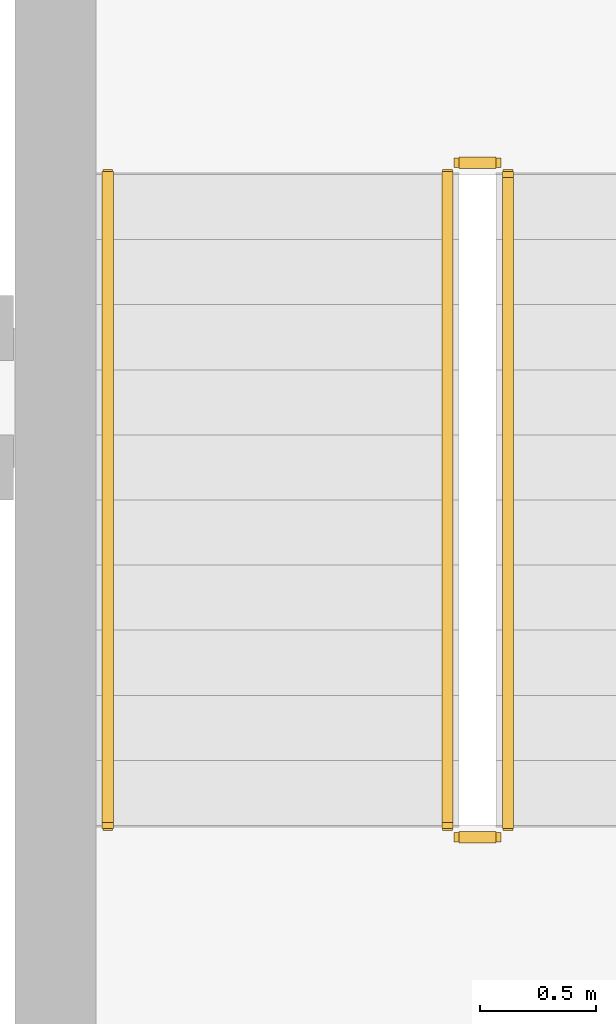
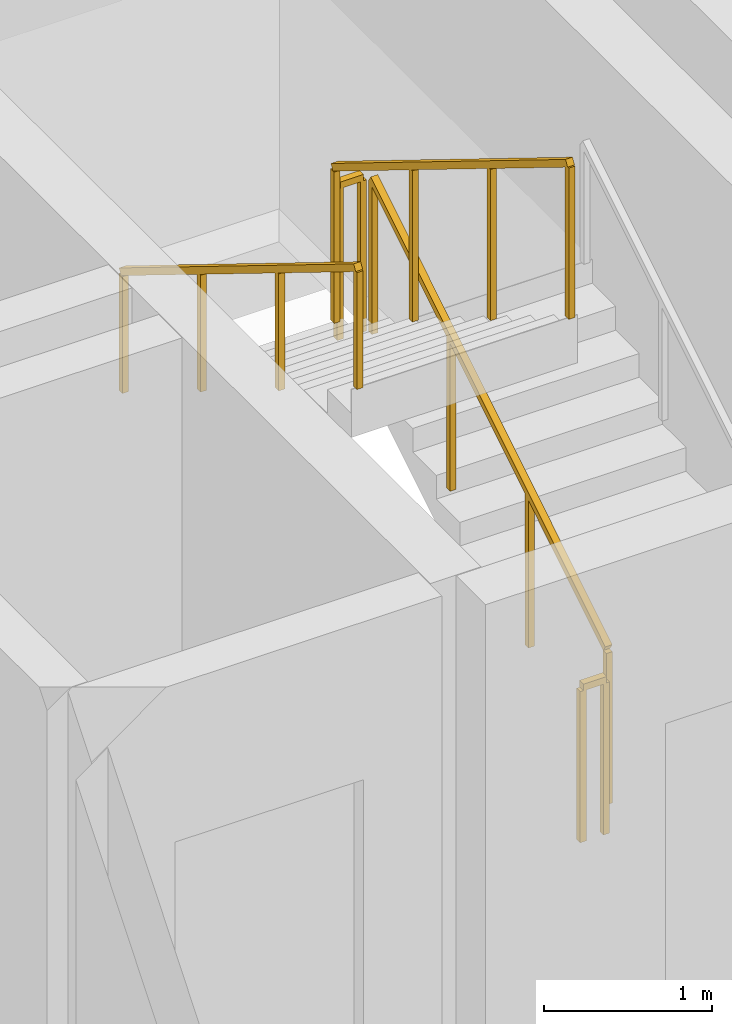
# One storey, part 14 of 15: 5 railings.
"""IFC4 building model written with IfcOpenShell, lengths in metres."""

from ifc_helpers import new_model, si_unit, direction, frame, origin, origin_2d, place, context, subcontext, project, spatial, rectangle, extrude, material, type_object, element, save


model = new_model("IFC4")

# Units and contexts
model_context = context("Model", 3, precision=1e-05, world=origin(), true_north=direction((0.0, 1.0)))
body_context = subcontext(model_context, "Body", "Model", "MODEL_VIEW")
ifc_project = project(units=[si_unit("LENGTHUNIT", "METRE"), si_unit("AREAUNIT", "SQUARE_METRE"), si_unit("VOLUMEUNIT", "CUBIC_METRE"), si_unit("PLANEANGLEUNIT", "RADIAN"), si_unit("MASSUNIT", "GRAM", prefix="KILO")], contexts=[model_context])

# Site, building, storey
site_placement = place(None, origin())
site = spatial("IfcSite", under=ifc_project, at=site_placement, CompositionType="ELEMENT")
building_placement = place(site_placement, origin())
building = spatial("IfcBuilding", under=site, at=building_placement, Name="Kaelvorn Grand Hotel", CompositionType="ELEMENT")
storey_placement = place(building_placement, frame((0.0, 0.0, 180.949951171875)))
storey = spatial("IfcBuildingStorey", under=building, at=storey_placement, Name="L44", CompositionType="ELEMENT", Elevation=180.949951171875)

# Railings
ifc_material = material(Name="Stainless Steel", Category="steel")
railing_type_1 = type_object("IfcRailingType", Name="RL-HANDRAIL-900", PredefinedType="HANDRAIL", material=ifc_material)
railing_1_placement = place(storey_placement, frame((63.3701171875, 44.56005859375, 2.07275390625)))
element("IfcRailing", 1, at=railing_1_placement, inside=storey, type_object=railing_type_1, Name="L44 ST3 stair handrail 2", PredefinedType="HANDRAIL", context=body_context, shape_type="SweptSolid", body=[
    extrude(rectangle(XDim=0.048095703125, YDim=0.048095703125, at=origin_2d()), frame((0.0, 0.0, 0.8759765625), z_axis=(0.0, -0.851089632645, 0.525020415988), x_axis=(1.0, 0.0, 0.0)), (0.0, 0.0, 1.0), 3.2900390625),
    extrude(rectangle(XDim=0.0419921875, YDim=0.0419921875, at=origin_2d()), origin(), (0.0, 0.0, 1.0), 0.851806640625),
    extrude(rectangle(XDim=0.0419921875, YDim=0.0419921875, at=origin_2d()), frame((0.0, -0.933349609375, 0.57568359375)), (0.0, 0.0, 1.0), 0.851806640625),
    extrude(rectangle(XDim=0.0419921875, YDim=0.0419921875, at=origin_2d()), frame((0.0, -1.86669921875, 1.151611328125)), (0.0, 0.0, 1.0), 0.851806640625),
    extrude(rectangle(XDim=0.0419921875, YDim=0.0419921875, at=origin_2d()), frame((0.0, -2.800048828125, 1.727294921875)), (0.0, 0.0, 1.0), 0.851806640625),
])
railing_type_2 = type_object("IfcRailingType", Name="RL-STAIR-GUARD-1150", PredefinedType="BALUSTRADE", material=ifc_material)
railing_2_placement = place(storey_placement, frame((65.090087890625, 41.760009765625, 0.1728515625)))
element("IfcRailing", 2, at=railing_2_placement, inside=storey, type_object=railing_type_2, Name="L44 ST3 stair guard 1", PredefinedType="BALUSTRADE", context=body_context, shape_type="SweptSolid", body=[
    extrude(rectangle(XDim=0.048095703125, YDim=0.048095703125, at=origin_2d()), frame((0.0, 0.0, 1.1259765625), z_axis=(0.0, 0.851089632645, 0.525020415988), x_axis=(-1.0, 0.0, 0.0)), (0.0, 0.0, 1.0), 3.2900390625),
    extrude(rectangle(XDim=0.0419921875, YDim=0.0419921875, at=origin_2d()), origin(), (0.0, 0.0, 1.0), 1.101806640625),
    extrude(rectangle(XDim=0.0419921875, YDim=0.0419921875, at=origin_2d()), frame((0.0, 0.933349609375, 0.57568359375)), (0.0, 0.0, 1.0), 1.101806640625),
    extrude(rectangle(XDim=0.0419921875, YDim=0.0419921875, at=origin_2d()), frame((0.0, 1.86669921875, 1.151611328125)), (0.0, 0.0, 1.0), 1.101806640625),
    extrude(rectangle(XDim=0.0419921875, YDim=0.0419921875, at=origin_2d()), frame((0.0, 2.800048828125, 1.727294921875)), (0.0, 0.0, 1.0), 1.101806640625),
])
railing_3_placement = place(storey_placement, frame((65.0400390625, 44.610107421875, 1.900146484375)))
element("IfcRailing", 3, at=railing_3_placement, inside=storey, type_object=railing_type_2, Name="L44 ST3 stair guard 2", PredefinedType="BALUSTRADE", context=body_context, shape_type="SweptSolid", body=[
    extrude(rectangle(XDim=0.048095703125, YDim=0.048095703125, at=origin_2d()), frame((0.0, 0.0, 1.1259765625), z_axis=(-1.0, 0.0, 0.0), x_axis=(0.0, -1.0, 0.0)), (0.0, 0.0, 1.0), 0.16015625),
    extrude(rectangle(XDim=0.0419921875, YDim=0.0419921875, at=origin_2d()), origin(), (0.0, 0.0, 1.0), 1.101806640625),
    extrude(rectangle(XDim=0.0419921875, YDim=0.0419921875, at=origin_2d()), frame((-0.16015625, 0.0, 0.0)), (0.0, 0.0, 1.0), 1.101806640625),
])
railing_4_placement = place(storey_placement, frame((64.830078125, 44.56005859375, 2.07275390625)))
element("IfcRailing", 4, at=railing_4_placement, inside=storey, type_object=railing_type_2, Name="L44 ST3 stair guard 3", PredefinedType="BALUSTRADE", context=body_context, shape_type="SweptSolid", body=[
    extrude(rectangle(XDim=0.048095703125, YDim=0.048095703125, at=origin_2d()), frame((0.0, 0.0, 1.1259765625), z_axis=(0.0, -0.851089632645, 0.525020415988), x_axis=(1.0, 0.0, 0.0)), (0.0, 0.0, 1.0), 3.2900390625),
    extrude(rectangle(XDim=0.0419921875, YDim=0.0419921875, at=origin_2d()), origin(), (0.0, 0.0, 1.0), 1.101806640625),
    extrude(rectangle(XDim=0.0419921875, YDim=0.0419921875, at=origin_2d()), frame((0.0, -0.933349609375, 0.57568359375)), (0.0, 0.0, 1.0), 1.101806640625),
    extrude(rectangle(XDim=0.0419921875, YDim=0.0419921875, at=origin_2d()), frame((0.0, -1.86669921875, 1.151611328125)), (0.0, 0.0, 1.0), 1.101806640625),
    extrude(rectangle(XDim=0.0419921875, YDim=0.0419921875, at=origin_2d()), frame((0.0, -2.800048828125, 1.727294921875)), (0.0, 0.0, 1.0), 1.101806640625),
])
railing_5_placement = place(storey_placement, frame((65.0400390625, 41.7099609375, 0.0)))
element("IfcRailing", 5, at=railing_5_placement, inside=storey, type_object=railing_type_2, Name="L44 ST3 stair guard 4", PredefinedType="BALUSTRADE", context=body_context, shape_type="SweptSolid", body=[
    extrude(rectangle(XDim=0.048095703125, YDim=0.048095703125, at=origin_2d()), frame((0.0, 0.0, 1.1259765625), z_axis=(-1.0, 0.0, 0.0), x_axis=(0.0, -1.0, 0.0)), (0.0, 0.0, 1.0), 0.16015625),
    extrude(rectangle(XDim=0.0419921875, YDim=0.0419921875, at=origin_2d()), origin(), (0.0, 0.0, 1.0), 1.101806640625),
    extrude(rectangle(XDim=0.0419921875, YDim=0.0419921875, at=origin_2d()), frame((-0.16015625, 0.0, 0.0)), (0.0, 0.0, 1.0), 1.101806640625),
])

save(model, "model.ifc")
